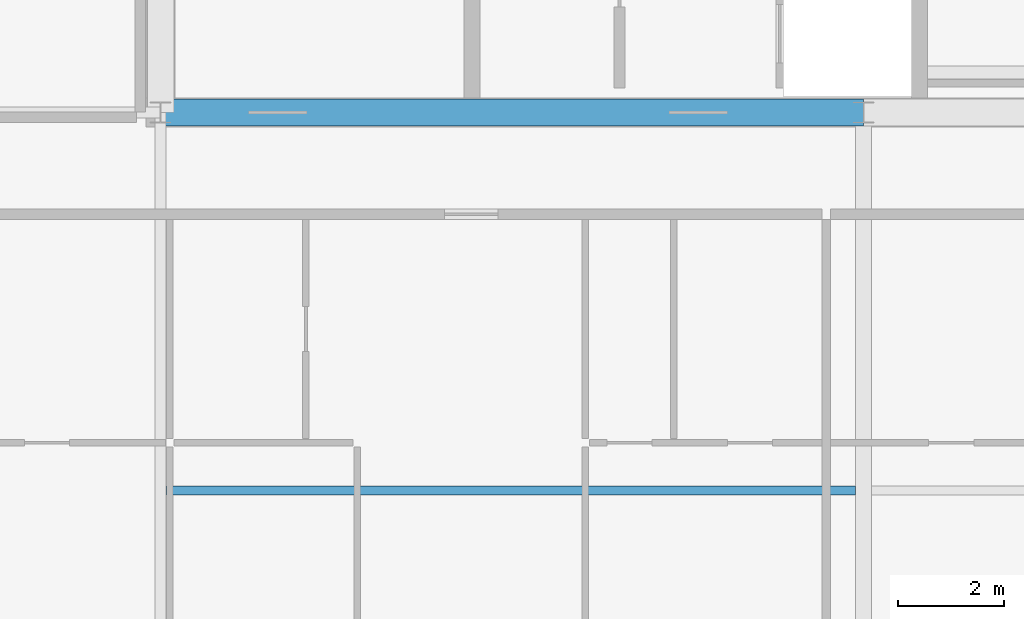
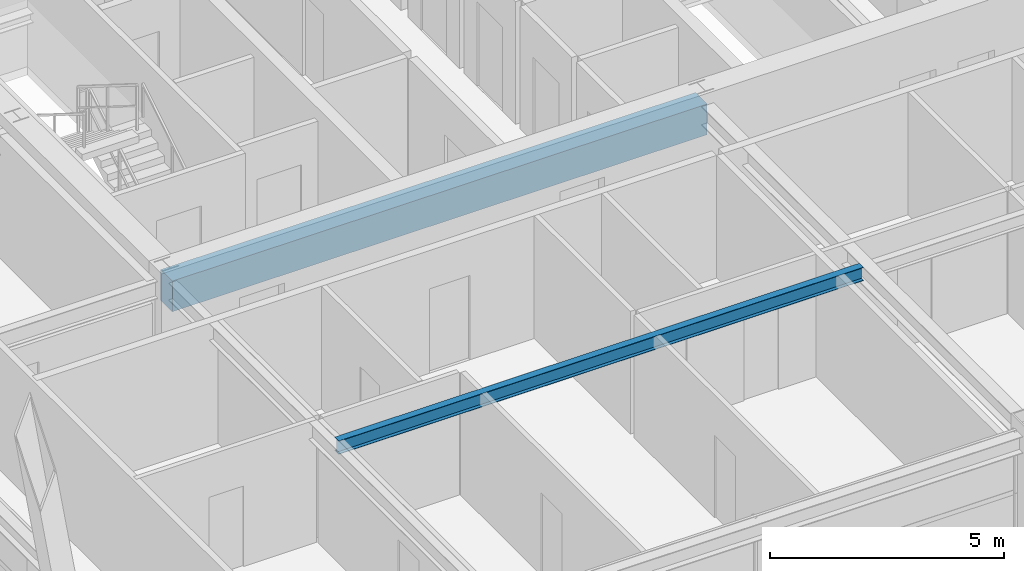
# One storey, part 9 of 36: 2 beams.
"""IFC4 building model written with IfcOpenShell, lengths in metres."""

from ifc_helpers import new_model, si_unit, direction, frame, origin, origin_2d, place, context, subcontext, project, spatial, rectangle, i_section, extrude, source, transform, mapped, material, material_profile, profile_set, type_object, element, save


model = new_model("IFC4")

# Units and contexts
model_context = context("Model", 3, precision=1e-05, world=origin(), true_north=direction((0.0, 1.0)))
body_context = subcontext(model_context, "Body", "Model", "MODEL_VIEW")
ifc_project = project(units=[si_unit("LENGTHUNIT", "METRE"), si_unit("AREAUNIT", "SQUARE_METRE"), si_unit("VOLUMEUNIT", "CUBIC_METRE"), si_unit("PLANEANGLEUNIT", "RADIAN"), si_unit("MASSUNIT", "GRAM", prefix="KILO"), si_unit("THERMODYNAMICTEMPERATUREUNIT", "KELVIN"), si_unit("POWERUNIT", "WATT")], contexts=[model_context])

# Site, building, storey
site_placement = place(None, origin())
site = spatial("IfcSite", under=ifc_project, at=site_placement, CompositionType="ELEMENT")
building_placement = place(site_placement, origin())
building = spatial("IfcBuilding", under=site, at=building_placement, Name="Yuzanri Waterfront Tower", CompositionType="ELEMENT")
storey_placement = place(building_placement, frame((0.0, 0.0, 255.60009765625)))
storey = spatial("IfcBuildingStorey", under=building, at=storey_placement, Name="L68", CompositionType="ELEMENT", Elevation=255.60009765625)

# Beams
ifc_material_1 = material(Name="Concrete C50", Category="concrete")
ifc_material_profile_1 = material_profile(ifc_material_1, rectangle(XDim=0.5, YDim=0.800048828125, at=origin_2d()), Name="RC 500x800")
ifc_profile_set_1 = profile_set([ifc_material_profile_1], Name="Concrete C50")
beam_type_1 = type_object("IfcBeamType", Name="Core Coupling Lintel Concrete C50 500x800", PredefinedType="LINTEL", material=ifc_profile_set_1)
shared_shape_1 = source(origin(), body_context, "Body", "SweptSolid", [
    extrude(rectangle(XDim=0.5, YDim=0.800048828125, at=origin_2d()), origin(), (0.0, 0.0, 1.0), 13.199951171875),
])
beam_1_placement = place(storey_placement, frame((23.800048828125, 19.39990234375, 2.7998046875), z_axis=(1.0, 0.0, 0.0), x_axis=(0.0, 1.0, 0.0)))
element("IfcBeam", 1, at=beam_1_placement, inside=storey, type_object=beam_type_1, Name="L68 Core Tie Beam CS1", PredefinedType="LINTEL", context=body_context, shape_type="MappedRepresentation", body=[
    mapped(shared_shape_1, transform((0.0, 0.0, 0.0), scale=1.0)),
])
ifc_material_2 = material(Name="Steel Q355B", Category="steel")
ifc_material_profile_2 = material_profile(ifc_material_2, i_section(OverallWidth=0.175048828125, OverallDepth=0.35009765625, WebThickness=0.007080078125, FlangeThickness=0.010986328125, at=origin_2d()), Name="HN 350x175x7x11")
ifc_profile_set_2 = profile_set([ifc_material_profile_2], Name="Steel Q355B")
beam_type_2 = type_object("IfcBeamType", Name="Floor Joist Q355B HN 350x175", PredefinedType="JOIST", material=ifc_profile_set_2)
shared_shape_2 = source(origin(), body_context, "Body", "SweptSolid", [
    extrude(i_section(OverallWidth=0.175048828125, OverallDepth=0.35009765625, WebThickness=0.007080078125, FlangeThickness=0.010986328125, at=origin_2d()), origin(), (0.0, 0.0, 1.0), 12.9501953125),
])
beam_2_placement = place(storey_placement, frame((23.89990234375, 12.300048828125, 3.02490234375), z_axis=(1.0, 0.0, 0.0), x_axis=(0.0, 1.0, 0.0)))
element("IfcBeam", 2, at=beam_2_placement, inside=storey, type_object=beam_type_2, Name="L68 South Bay Joist W", PredefinedType="JOIST", context=body_context, shape_type="MappedRepresentation", body=[
    mapped(shared_shape_2, transform((0.0, 0.0, 0.0), scale=1.0)),
])

save(model, "model.ifc")
